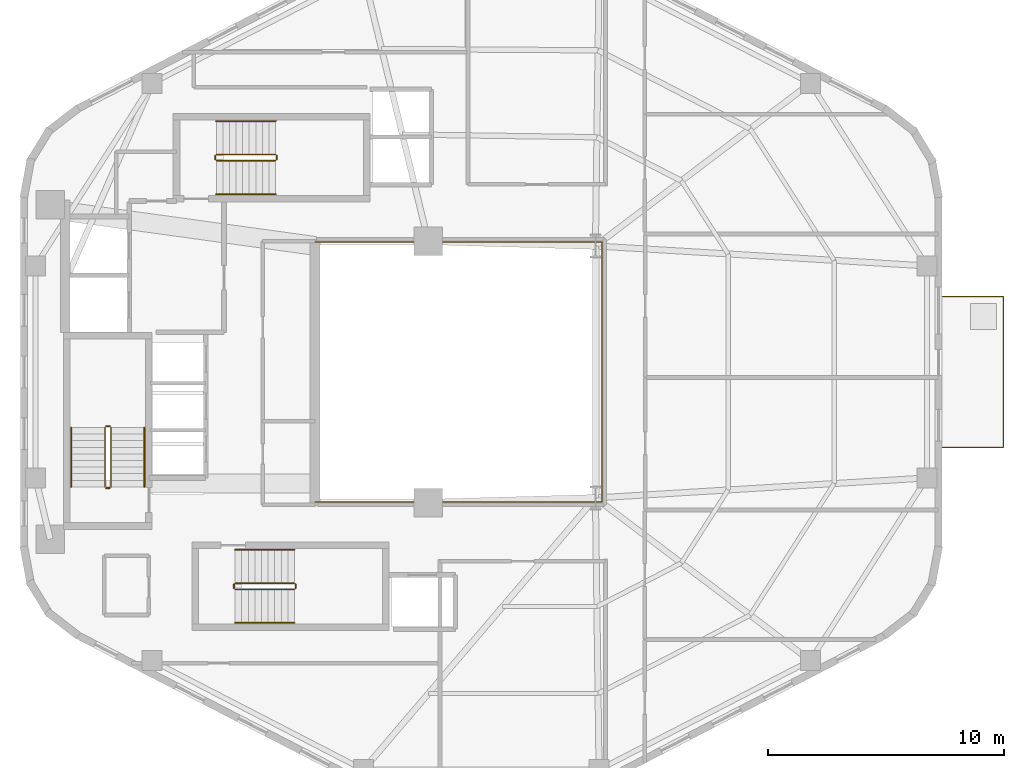
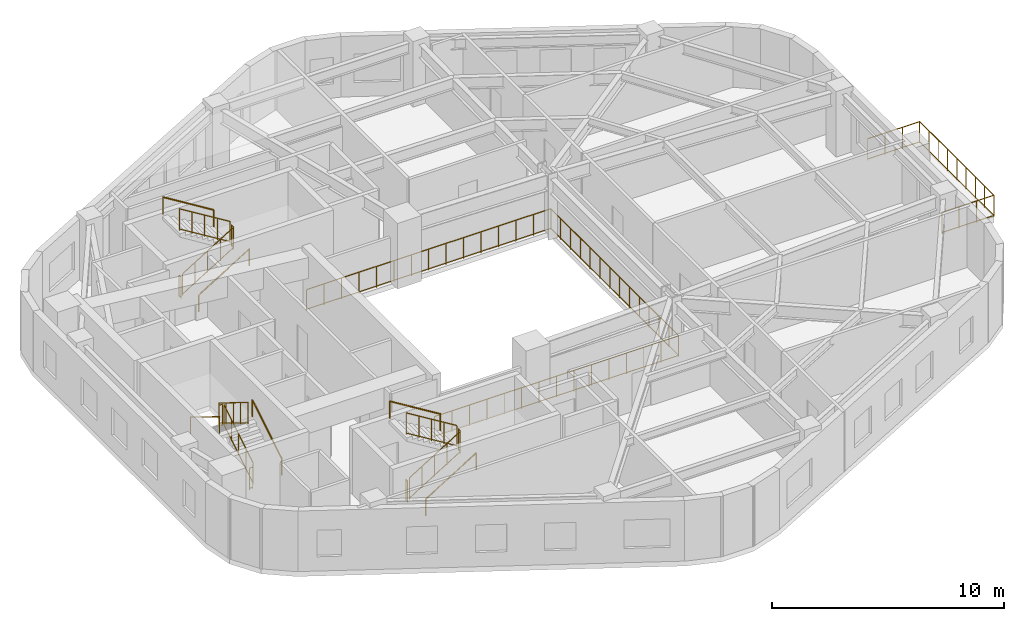
# One storey, part 6 of 7: 20 railings.
"""IFC4 building model written with IfcOpenShell, lengths in metres."""

from ifc_helpers import new_model, si_unit, direction, frame, origin, origin_2d, place, context, subcontext, project, spatial, circle, extrude, material, type_object, element, save


model = new_model("IFC4")

# Units and contexts
model_context = context("Model", 3, precision=1e-05, world=origin(), true_north=direction((0.0, 1.0)))
body_context = subcontext(model_context, "Body", "Model", "MODEL_VIEW")
ifc_project = project(units=[si_unit("LENGTHUNIT", "METRE"), si_unit("AREAUNIT", "SQUARE_METRE"), si_unit("VOLUMEUNIT", "CUBIC_METRE"), si_unit("PLANEANGLEUNIT", "RADIAN"), si_unit("MASSUNIT", "GRAM", prefix="KILO"), si_unit("THERMODYNAMICTEMPERATUREUNIT", "KELVIN"), si_unit("POWERUNIT", "WATT")], contexts=[model_context])

# Site, building, storey
site_placement = place(None, origin())
site = spatial("IfcSite", under=ifc_project, at=site_placement, CompositionType="ELEMENT")
building_placement = place(site_placement, origin())
building = spatial("IfcBuilding", under=site, at=building_placement, Name="Skarre Station Tower", CompositionType="ELEMENT")
storey_placement = place(building_placement, frame((0.0, 0.0, 213.699951171875)))
storey = spatial("IfcBuildingStorey", under=building, at=storey_placement, Name="L58", CompositionType="ELEMENT", Elevation=213.699951171875)

# Railings
ifc_material_1 = material(Name="Bronze Anodized Steel & Laminated Glass Balustrade", Category="steel")
railing_type_1 = type_object("IfcRailingType", Name="Atrium Void & Mezzanine Guard Balustrade 1120", PredefinedType="GUARDRAIL", material=ifc_material_1)
railing_1_placement = place(storey_placement, frame((27.550048828125, 18.47998046875, 0.0)))
element("IfcRailing", 1, at=railing_1_placement, inside=storey, type_object=railing_type_1, Name="L58 Atrium Void Guard Balustrade", PredefinedType="GUARDRAIL", context=body_context, shape_type="SweptSolid", body=[
    extrude(circle(Radius=0.02392578125, at=origin_2d()), frame((0.0, 0.0, 1.09619140625), z_axis=(1.0, 0.0, 0.0), x_axis=(0.0, 1.0, 0.0)), (0.0, 0.0, 1.0), 12.169921875),
    extrude(circle(Radius=0.02099609375, at=origin_2d()), frame((0.0, 0.0, 0.06005859375), z_axis=(1.0, 0.0, 0.0), x_axis=(0.0, 1.0, 0.0)), (0.0, 0.0, 1.0), 12.169921875),
    extrude(circle(Radius=0.02392578125, at=origin_2d()), frame((12.169921875, 0.0, 1.09619140625), z_axis=(0.0, 1.0, 0.0), x_axis=(-1.0, 0.0, 0.0)), (0.0, 0.0, 1.0), 11.0400390625),
    extrude(circle(Radius=0.02099609375, at=origin_2d()), frame((12.169921875, 0.0, 0.06005859375), z_axis=(0.0, 1.0, 0.0), x_axis=(-1.0, 0.0, 0.0)), (0.0, 0.0, 1.0), 11.0400390625),
    extrude(circle(Radius=0.02392578125, at=origin_2d()), frame((12.169921875, 11.0400390625, 1.09619140625), z_axis=(-1.0, 0.0, 0.0), x_axis=(0.0, -1.0, 0.0)), (0.0, 0.0, 1.0), 12.169921875),
    extrude(circle(Radius=0.02099609375, at=origin_2d()), frame((12.169921875, 11.0400390625, 0.06005859375), z_axis=(-1.0, 0.0, 0.0), x_axis=(0.0, -1.0, 0.0)), (0.0, 0.0, 1.0), 12.169921875),
    extrude(circle(Radius=0.02099609375, at=origin_2d()), origin(), (0.0, 0.0, 1.0), 1.072021484375),
    extrude(circle(Radius=0.02099609375, at=origin_2d()), frame((0.869384765625, 0.0, 0.0)), (0.0, 0.0, 1.0), 1.072021484375),
    extrude(circle(Radius=0.02099609375, at=origin_2d()), frame((1.738525390625, 0.0, 0.0)), (0.0, 0.0, 1.0), 1.072021484375),
    extrude(circle(Radius=0.02099609375, at=origin_2d()), frame((2.60791015625, 0.0, 0.0)), (0.0, 0.0, 1.0), 1.072021484375),
    extrude(circle(Radius=0.02099609375, at=origin_2d()), frame((3.47705078125, 0.0, 0.0)), (0.0, 0.0, 1.0), 1.072021484375),
    extrude(circle(Radius=0.02099609375, at=origin_2d()), frame((4.346435546875, 0.0, 0.0)), (0.0, 0.0, 1.0), 1.072021484375),
    extrude(circle(Radius=0.02099609375, at=origin_2d()), frame((5.215576171875, 0.0, 0.0)), (0.0, 0.0, 1.0), 1.072021484375),
    extrude(circle(Radius=0.02099609375, at=origin_2d()), frame((6.0849609375, 0.0, 0.0)), (0.0, 0.0, 1.0), 1.072021484375),
    extrude(circle(Radius=0.02099609375, at=origin_2d()), frame((6.954345703125, 0.0, 0.0)), (0.0, 0.0, 1.0), 1.072021484375),
    extrude(circle(Radius=0.02099609375, at=origin_2d()), frame((7.823486328125, 0.0, 0.0)), (0.0, 0.0, 1.0), 1.072021484375),
    extrude(circle(Radius=0.02099609375, at=origin_2d()), frame((8.69287109375, 0.0, 0.0)), (0.0, 0.0, 1.0), 1.072021484375),
    extrude(circle(Radius=0.02099609375, at=origin_2d()), frame((9.56201171875, 0.0, 0.0)), (0.0, 0.0, 1.0), 1.072021484375),
    extrude(circle(Radius=0.02099609375, at=origin_2d()), frame((10.431396484375, 0.0, 0.0)), (0.0, 0.0, 1.0), 1.072021484375),
    extrude(circle(Radius=0.02099609375, at=origin_2d()), frame((11.300537109375, 0.0, 0.0)), (0.0, 0.0, 1.0), 1.072021484375),
    extrude(circle(Radius=0.02099609375, at=origin_2d()), frame((12.169921875, 0.0, 0.0)), (0.0, 0.0, 1.0), 1.072021484375),
    extrude(circle(Radius=0.02099609375, at=origin_2d()), frame((12.169921875, 0.84912109375, 0.0)), (0.0, 0.0, 1.0), 1.072021484375),
    extrude(circle(Radius=0.02099609375, at=origin_2d()), frame((12.169921875, 1.698486328125, 0.0)), (0.0, 0.0, 1.0), 1.072021484375),
    extrude(circle(Radius=0.02099609375, at=origin_2d()), frame((12.169921875, 2.547607421875, 0.0)), (0.0, 0.0, 1.0), 1.072021484375),
    extrude(circle(Radius=0.02099609375, at=origin_2d()), frame((12.169921875, 3.39697265625, 0.0)), (0.0, 0.0, 1.0), 1.072021484375),
    extrude(circle(Radius=0.02099609375, at=origin_2d()), frame((12.169921875, 4.24609375, 0.0)), (0.0, 0.0, 1.0), 1.072021484375),
    extrude(circle(Radius=0.02099609375, at=origin_2d()), frame((12.169921875, 5.095458984375, 0.0)), (0.0, 0.0, 1.0), 1.072021484375),
    extrude(circle(Radius=0.02099609375, at=origin_2d()), frame((12.169921875, 5.944580078125, 0.0)), (0.0, 0.0, 1.0), 1.072021484375),
    extrude(circle(Radius=0.02099609375, at=origin_2d()), frame((12.169921875, 6.7939453125, 0.0)), (0.0, 0.0, 1.0), 1.072021484375),
    extrude(circle(Radius=0.02099609375, at=origin_2d()), frame((12.169921875, 7.64306640625, 0.0)), (0.0, 0.0, 1.0), 1.072021484375),
    extrude(circle(Radius=0.02099609375, at=origin_2d()), frame((12.169921875, 8.492431640625, 0.0)), (0.0, 0.0, 1.0), 1.072021484375),
    extrude(circle(Radius=0.02099609375, at=origin_2d()), frame((12.169921875, 9.341552734375, 0.0)), (0.0, 0.0, 1.0), 1.072021484375),
    extrude(circle(Radius=0.02099609375, at=origin_2d()), frame((12.169921875, 10.19091796875, 0.0)), (0.0, 0.0, 1.0), 1.072021484375),
    extrude(circle(Radius=0.02099609375, at=origin_2d()), frame((12.169921875, 11.0400390625, 0.0)), (0.0, 0.0, 1.0), 1.072021484375),
    extrude(circle(Radius=0.02099609375, at=origin_2d()), frame((11.300537109375, 11.0400390625, 0.0)), (0.0, 0.0, 1.0), 1.072021484375),
    extrude(circle(Radius=0.02099609375, at=origin_2d()), frame((10.431396484375, 11.0400390625, 0.0)), (0.0, 0.0, 1.0), 1.072021484375),
    extrude(circle(Radius=0.02099609375, at=origin_2d()), frame((9.56201171875, 11.0400390625, 0.0)), (0.0, 0.0, 1.0), 1.072021484375),
    extrude(circle(Radius=0.02099609375, at=origin_2d()), frame((8.69287109375, 11.0400390625, 0.0)), (0.0, 0.0, 1.0), 1.072021484375),
    extrude(circle(Radius=0.02099609375, at=origin_2d()), frame((7.823486328125, 11.0400390625, 0.0)), (0.0, 0.0, 1.0), 1.072021484375),
    extrude(circle(Radius=0.02099609375, at=origin_2d()), frame((6.954345703125, 11.0400390625, 0.0)), (0.0, 0.0, 1.0), 1.072021484375),
    extrude(circle(Radius=0.02099609375, at=origin_2d()), frame((6.0849609375, 11.0400390625, 0.0)), (0.0, 0.0, 1.0), 1.072021484375),
    extrude(circle(Radius=0.02099609375, at=origin_2d()), frame((5.215576171875, 11.0400390625, 0.0)), (0.0, 0.0, 1.0), 1.072021484375),
    extrude(circle(Radius=0.02099609375, at=origin_2d()), frame((4.346435546875, 11.0400390625, 0.0)), (0.0, 0.0, 1.0), 1.072021484375),
    extrude(circle(Radius=0.02099609375, at=origin_2d()), frame((3.47705078125, 11.0400390625, 0.0)), (0.0, 0.0, 1.0), 1.072021484375),
    extrude(circle(Radius=0.02099609375, at=origin_2d()), frame((2.60791015625, 11.0400390625, 0.0)), (0.0, 0.0, 1.0), 1.072021484375),
    extrude(circle(Radius=0.02099609375, at=origin_2d()), frame((1.738525390625, 11.0400390625, 0.0)), (0.0, 0.0, 1.0), 1.072021484375),
    extrude(circle(Radius=0.02099609375, at=origin_2d()), frame((0.869384765625, 11.0400390625, 0.0)), (0.0, 0.0, 1.0), 1.072021484375),
    extrude(circle(Radius=0.02099609375, at=origin_2d()), frame((0.0, 11.0400390625, 0.0)), (0.0, 0.0, 1.0), 1.072021484375),
])
ifc_material_2 = material(Name="Stainless Steel Grade 316L & Laminated Safety Glass", Category="steel")
railing_type_2 = type_object("IfcRailingType", Name="Laminated Glass & Stainless Terrace Guardrail 1150", PredefinedType="BALUSTRADE", material=ifc_material_2)
railing_2_placement = place(storey_placement, frame((54.181884765625, 20.800048828125, 0.0)))
element("IfcRailing", 2, at=railing_2_placement, inside=storey, type_object=railing_type_2, Name="L58 TB-L58-F5 Tree-Balcony Guardrail", PredefinedType="BALUSTRADE", context=body_context, shape_type="SweptSolid", body=[
    extrude(circle(Radius=0.02392578125, at=origin_2d()), frame((0.0, 0.0, 1.1259765625), z_axis=(1.0, 0.0, 0.0), x_axis=(0.0, 1.0, 0.0)), (0.0, 0.0, 1.0), 2.590087890625),
    extrude(circle(Radius=0.02099609375, at=origin_2d()), frame((0.0, 0.0, 0.06005859375), z_axis=(1.0, 0.0, 0.0), x_axis=(0.0, 1.0, 0.0)), (0.0, 0.0, 1.0), 2.590087890625),
    extrude(circle(Radius=0.02392578125, at=origin_2d()), frame((2.590087890625, 0.0, 1.1259765625), z_axis=(0.0, 1.0, 0.0), x_axis=(-1.0, 0.0, 0.0)), (0.0, 0.0, 1.0), 6.39990234375),
    extrude(circle(Radius=0.02099609375, at=origin_2d()), frame((2.590087890625, 0.0, 0.06005859375), z_axis=(0.0, 1.0, 0.0), x_axis=(-1.0, 0.0, 0.0)), (0.0, 0.0, 1.0), 6.39990234375),
    extrude(circle(Radius=0.02392578125, at=origin_2d()), frame((2.590087890625, 6.39990234375, 1.1259765625), z_axis=(-1.0, 0.0, 0.0), x_axis=(0.0, -1.0, 0.0)), (0.0, 0.0, 1.0), 2.590087890625),
    extrude(circle(Radius=0.02099609375, at=origin_2d()), frame((2.590087890625, 6.39990234375, 0.06005859375), z_axis=(-1.0, 0.0, 0.0), x_axis=(0.0, -1.0, 0.0)), (0.0, 0.0, 1.0), 2.590087890625),
    extrude(circle(Radius=0.02099609375, at=origin_2d()), origin(), (0.0, 0.0, 1.0), 1.101806640625),
    extrude(circle(Radius=0.02099609375, at=origin_2d()), frame((0.86328125, 0.0, 0.0)), (0.0, 0.0, 1.0), 1.101806640625),
    extrude(circle(Radius=0.02099609375, at=origin_2d()), frame((1.726806640625, 0.0, 0.0)), (0.0, 0.0, 1.0), 1.101806640625),
    extrude(circle(Radius=0.02099609375, at=origin_2d()), frame((2.590087890625, 0.0, 0.0)), (0.0, 0.0, 1.0), 1.101806640625),
    extrude(circle(Radius=0.02099609375, at=origin_2d()), frame((2.590087890625, 0.800048828125, 0.0)), (0.0, 0.0, 1.0), 1.101806640625),
    extrude(circle(Radius=0.02099609375, at=origin_2d()), frame((2.590087890625, 1.60009765625, 0.0)), (0.0, 0.0, 1.0), 1.101806640625),
    extrude(circle(Radius=0.02099609375, at=origin_2d()), frame((2.590087890625, 2.39990234375, 0.0)), (0.0, 0.0, 1.0), 1.101806640625),
    extrude(circle(Radius=0.02099609375, at=origin_2d()), frame((2.590087890625, 3.199951171875, 0.0)), (0.0, 0.0, 1.0), 1.101806640625),
    extrude(circle(Radius=0.02099609375, at=origin_2d()), frame((2.590087890625, 4.0, 0.0)), (0.0, 0.0, 1.0), 1.101806640625),
    extrude(circle(Radius=0.02099609375, at=origin_2d()), frame((2.590087890625, 4.7998046875, 0.0)), (0.0, 0.0, 1.0), 1.101806640625),
    extrude(circle(Radius=0.02099609375, at=origin_2d()), frame((2.590087890625, 5.599853515625, 0.0)), (0.0, 0.0, 1.0), 1.101806640625),
    extrude(circle(Radius=0.02099609375, at=origin_2d()), frame((2.590087890625, 6.39990234375, 0.0)), (0.0, 0.0, 1.0), 1.101806640625),
    extrude(circle(Radius=0.02099609375, at=origin_2d()), frame((1.726806640625, 6.39990234375, 0.0)), (0.0, 0.0, 1.0), 1.101806640625),
    extrude(circle(Radius=0.02099609375, at=origin_2d()), frame((0.86328125, 6.39990234375, 0.0)), (0.0, 0.0, 1.0), 1.101806640625),
    extrude(circle(Radius=0.02099609375, at=origin_2d()), frame((0.0, 6.39990234375, 0.0)), (0.0, 0.0, 1.0), 1.101806640625),
])
ifc_material_3 = material(Name="Powder-Coated Tubular Steel", Category="steel")
railing_type_3 = type_object("IfcRailingType", Name="Painted Steel Ramp & Stair Handrail 920", PredefinedType="HANDRAIL", material=ifc_material_3)
railing_3_placement = place(storey_placement, frame((20.300048828125, 19.1201171875, 0.172607421875)))
element("IfcRailing", 3, at=railing_3_placement, inside=storey, type_object=railing_type_3, Name="L58 ST-1 stair handrail 1", PredefinedType="HANDRAIL", context=body_context, shape_type="SweptSolid", body=[
    extrude(circle(Radius=0.02392578125, at=origin_2d()), frame((0.0, 0.0, 0.8759765625), z_axis=(0.0, 0.851377800117, 0.52455299205), x_axis=(-1.0, 0.0, 0.0)), (0.0, 0.0, 1.0), 2.959716796875),
    extrude(circle(Radius=0.02099609375, at=origin_2d()), origin(), (0.0, 0.0, 1.0), 0.851806640625),
    extrude(circle(Radius=0.02099609375, at=origin_2d()), frame((0.0, 2.519775390625, 1.552490234375)), (0.0, 0.0, 1.0), 0.851806640625),
])
railing_4_placement = place(storey_placement, frame((17.199951171875, 21.639892578125, 1.8974609375)))
element("IfcRailing", 4, at=railing_4_placement, inside=storey, type_object=railing_type_3, Name="L58 ST-1 stair handrail 2", PredefinedType="HANDRAIL", context=body_context, shape_type="SweptSolid", body=[
    extrude(circle(Radius=0.02392578125, at=origin_2d()), frame((0.0, 0.0, 0.8759765625), z_axis=(0.0, -0.851377800117, 0.52455299205), x_axis=(1.0, 0.0, 0.0)), (0.0, 0.0, 1.0), 2.959716796875),
    extrude(circle(Radius=0.02099609375, at=origin_2d()), origin(), (0.0, 0.0, 1.0), 0.851806640625),
    extrude(circle(Radius=0.02099609375, at=origin_2d()), frame((0.0, -2.519775390625, 1.552490234375)), (0.0, 0.0, 1.0), 0.851806640625),
])
railing_5_placement = place(storey_placement, frame((24.14990234375, 13.35009765625, 0.172607421875)))
element("IfcRailing", 5, at=railing_5_placement, inside=storey, type_object=railing_type_3, Name="L58 ST-2 stair handrail 1", PredefinedType="HANDRAIL", context=body_context, shape_type="SweptSolid", body=[
    extrude(circle(Radius=0.02392578125, at=origin_2d()), frame((0.0, 0.0, 0.8759765625), z_axis=(0.851400495292, 0.0, 0.524516154772), x_axis=(0.0, 1.0, 0.0)), (0.0, 0.0, 1.0), 2.9599609375),
    extrude(circle(Radius=0.02099609375, at=origin_2d()), origin(), (0.0, 0.0, 1.0), 0.851806640625),
    extrude(circle(Radius=0.02099609375, at=origin_2d()), frame((2.52001953125, 0.0, 1.552490234375)), (0.0, 0.0, 1.0), 0.851806640625),
])
railing_6_placement = place(storey_placement, frame((26.669921875, 16.449951171875, 1.8974609375)))
element("IfcRailing", 6, at=railing_6_placement, inside=storey, type_object=railing_type_3, Name="L58 ST-2 stair handrail 2", PredefinedType="HANDRAIL", context=body_context, shape_type="SweptSolid", body=[
    extrude(circle(Radius=0.02392578125, at=origin_2d()), frame((0.0, 0.0, 0.8759765625), z_axis=(-0.851400495292, 0.0, 0.524516154772), x_axis=(0.0, -1.0, 0.0)), (0.0, 0.0, 1.0), 2.9599609375),
    extrude(circle(Radius=0.02099609375, at=origin_2d()), origin(), (0.0, 0.0, 1.0), 0.851806640625),
    extrude(circle(Radius=0.02099609375, at=origin_2d()), frame((-2.52001953125, 0.0, 1.552490234375)), (0.0, 0.0, 1.0), 0.851806640625),
])
railing_7_placement = place(storey_placement, frame((23.35009765625, 31.550048828125, 0.172607421875)))
element("IfcRailing", 7, at=railing_7_placement, inside=storey, type_object=railing_type_3, Name="L58 ST-3 stair handrail 1", PredefinedType="HANDRAIL", context=body_context, shape_type="SweptSolid", body=[
    extrude(circle(Radius=0.02392578125, at=origin_2d()), frame((0.0, 0.0, 0.8759765625), z_axis=(0.851400495292, 0.0, 0.524516154772), x_axis=(0.0, 1.0, 0.0)), (0.0, 0.0, 1.0), 2.9599609375),
    extrude(circle(Radius=0.02099609375, at=origin_2d()), origin(), (0.0, 0.0, 1.0), 0.851806640625),
    extrude(circle(Radius=0.02099609375, at=origin_2d()), frame((2.52001953125, 0.0, 1.552490234375)), (0.0, 0.0, 1.0), 0.851806640625),
])
railing_8_placement = place(storey_placement, frame((25.8701171875, 34.64990234375, 1.8974609375)))
element("IfcRailing", 8, at=railing_8_placement, inside=storey, type_object=railing_type_3, Name="L58 ST-3 stair handrail 2", PredefinedType="HANDRAIL", context=body_context, shape_type="SweptSolid", body=[
    extrude(circle(Radius=0.02392578125, at=origin_2d()), frame((0.0, 0.0, 0.8759765625), z_axis=(-0.851400495292, 0.0, 0.524516154772), x_axis=(0.0, -1.0, 0.0)), (0.0, 0.0, 1.0), 2.9599609375),
    extrude(circle(Radius=0.02099609375, at=origin_2d()), origin(), (0.0, 0.0, 1.0), 0.851806640625),
    extrude(circle(Radius=0.02099609375, at=origin_2d()), frame((-2.52001953125, 0.0, 1.552490234375)), (0.0, 0.0, 1.0), 0.851806640625),
])
railing_type_4 = type_object("IfcRailingType", Name="Painted Steel Stairwell Guardrail 1100", PredefinedType="GUARDRAIL", material=ifc_material_3)
railing_9_placement = place(storey_placement, frame((18.8798828125, 19.1201171875, 0.172607421875)))
element("IfcRailing", 9, at=railing_9_placement, inside=storey, type_object=railing_type_4, Name="L58 ST-1 stair guard 1", PredefinedType="GUARDRAIL", context=body_context, shape_type="SweptSolid", body=[
    extrude(circle(Radius=0.02392578125, at=origin_2d()), frame((0.0, 0.0, 1.1259765625), z_axis=(0.0, 0.851377800117, 0.52455299205), x_axis=(-1.0, 0.0, 0.0)), (0.0, 0.0, 1.0), 2.959716796875),
    extrude(circle(Radius=0.02099609375, at=origin_2d()), frame((0.0, 0.0, 0.06005859375), z_axis=(0.0, 0.851377800117, 0.52455299205), x_axis=(-1.0, 0.0, 0.0)), (0.0, 0.0, 1.0), 2.959716796875),
    extrude(circle(Radius=0.02099609375, at=origin_2d()), origin(), (0.0, 0.0, 1.0), 1.101806640625),
    extrude(circle(Radius=0.02099609375, at=origin_2d()), frame((0.0, 0.6298828125, 0.38818359375)), (0.0, 0.0, 1.0), 1.101806640625),
    extrude(circle(Radius=0.02099609375, at=origin_2d()), frame((0.0, 1.259765625, 0.7763671875)), (0.0, 0.0, 1.0), 1.101806640625),
    extrude(circle(Radius=0.02099609375, at=origin_2d()), frame((0.0, 1.889892578125, 1.164306640625)), (0.0, 0.0, 1.0), 1.101806640625),
    extrude(circle(Radius=0.02099609375, at=origin_2d()), frame((0.0, 2.519775390625, 1.552490234375)), (0.0, 0.0, 1.0), 1.101806640625),
])
railing_10_placement = place(storey_placement, frame((18.830078125, 21.68994140625, 1.72509765625)))
element("IfcRailing", 10, at=railing_10_placement, inside=storey, type_object=railing_type_4, Name="L58 ST-1 stair guard 2", PredefinedType="GUARDRAIL", context=body_context, shape_type="SweptSolid", body=[
    extrude(circle(Radius=0.02392578125, at=origin_2d()), frame((0.0, 0.0, 1.1259765625), z_axis=(-1.0, 0.0, 0.0), x_axis=(0.0, -1.0, 0.0)), (0.0, 0.0, 1.0), 0.16015625),
    extrude(circle(Radius=0.02099609375, at=origin_2d()), frame((0.0, 0.0, 0.06005859375), z_axis=(-1.0, 0.0, 0.0), x_axis=(0.0, -1.0, 0.0)), (0.0, 0.0, 1.0), 0.16015625),
    extrude(circle(Radius=0.02099609375, at=origin_2d()), origin(), (0.0, 0.0, 1.0), 1.101806640625),
    extrude(circle(Radius=0.02099609375, at=origin_2d()), frame((-0.16015625, 0.0, 0.0)), (0.0, 0.0, 1.0), 1.101806640625),
])
railing_11_placement = place(storey_placement, frame((18.6201171875, 21.639892578125, 1.8974609375)))
element("IfcRailing", 11, at=railing_11_placement, inside=storey, type_object=railing_type_4, Name="L58 ST-1 stair guard 3", PredefinedType="GUARDRAIL", context=body_context, shape_type="SweptSolid", body=[
    extrude(circle(Radius=0.02392578125, at=origin_2d()), frame((0.0, 0.0, 1.1259765625), z_axis=(0.0, -0.851377800117, 0.52455299205), x_axis=(1.0, 0.0, 0.0)), (0.0, 0.0, 1.0), 2.959716796875),
    extrude(circle(Radius=0.02099609375, at=origin_2d()), frame((0.0, 0.0, 0.06005859375), z_axis=(0.0, -0.851377800117, 0.52455299205), x_axis=(1.0, 0.0, 0.0)), (0.0, 0.0, 1.0), 2.959716796875),
    extrude(circle(Radius=0.02099609375, at=origin_2d()), origin(), (0.0, 0.0, 1.0), 1.101806640625),
    extrude(circle(Radius=0.02099609375, at=origin_2d()), frame((0.0, -0.6298828125, 0.38818359375)), (0.0, 0.0, 1.0), 1.101806640625),
    extrude(circle(Radius=0.02099609375, at=origin_2d()), frame((0.0, -1.259765625, 0.7763671875)), (0.0, 0.0, 1.0), 1.101806640625),
    extrude(circle(Radius=0.02099609375, at=origin_2d()), frame((0.0, -1.889892578125, 1.164306640625)), (0.0, 0.0, 1.0), 1.101806640625),
    extrude(circle(Radius=0.02099609375, at=origin_2d()), frame((0.0, -2.519775390625, 1.552490234375)), (0.0, 0.0, 1.0), 1.101806640625),
])
railing_12_placement = place(storey_placement, frame((18.830078125, 19.070068359375, 0.0)))
element("IfcRailing", 12, at=railing_12_placement, inside=storey, type_object=railing_type_4, Name="L58 ST-1 stair guard 4", PredefinedType="GUARDRAIL", context=body_context, shape_type="SweptSolid", body=[
    extrude(circle(Radius=0.02392578125, at=origin_2d()), frame((0.0, 0.0, 1.1259765625), z_axis=(-1.0, 0.0, 0.0), x_axis=(0.0, -1.0, 0.0)), (0.0, 0.0, 1.0), 0.16015625),
    extrude(circle(Radius=0.02099609375, at=origin_2d()), frame((0.0, 0.0, 0.06005859375), z_axis=(-1.0, 0.0, 0.0), x_axis=(0.0, -1.0, 0.0)), (0.0, 0.0, 1.0), 0.16015625),
    extrude(circle(Radius=0.02099609375, at=origin_2d()), origin(), (0.0, 0.0, 1.0), 1.101806640625),
    extrude(circle(Radius=0.02099609375, at=origin_2d()), frame((-0.16015625, 0.0, 0.0)), (0.0, 0.0, 1.0), 1.101806640625),
])
railing_13_placement = place(storey_placement, frame((24.14990234375, 14.77001953125, 0.172607421875)))
element("IfcRailing", 13, at=railing_13_placement, inside=storey, type_object=railing_type_4, Name="L58 ST-2 stair guard 1", PredefinedType="GUARDRAIL", context=body_context, shape_type="SweptSolid", body=[
    extrude(circle(Radius=0.02392578125, at=origin_2d()), frame((0.0, 0.0, 1.1259765625), z_axis=(0.851400495292, 0.0, 0.524516154772), x_axis=(0.0, 1.0, 0.0)), (0.0, 0.0, 1.0), 2.9599609375),
    extrude(circle(Radius=0.02099609375, at=origin_2d()), frame((0.0, 0.0, 0.06005859375), z_axis=(0.851400495292, 0.0, 0.524516154772), x_axis=(0.0, 1.0, 0.0)), (0.0, 0.0, 1.0), 2.9599609375),
    extrude(circle(Radius=0.02099609375, at=origin_2d()), origin(), (0.0, 0.0, 1.0), 1.101806640625),
    extrude(circle(Radius=0.02099609375, at=origin_2d()), frame((0.6298828125, 0.0, 0.38818359375)), (0.0, 0.0, 1.0), 1.101806640625),
    extrude(circle(Radius=0.02099609375, at=origin_2d()), frame((1.260009765625, 0.0, 0.7763671875)), (0.0, 0.0, 1.0), 1.101806640625),
    extrude(circle(Radius=0.02099609375, at=origin_2d()), frame((1.89013671875, 0.0, 1.164306640625)), (0.0, 0.0, 1.0), 1.101806640625),
    extrude(circle(Radius=0.02099609375, at=origin_2d()), frame((2.52001953125, 0.0, 1.552490234375)), (0.0, 0.0, 1.0), 1.101806640625),
])
railing_14_placement = place(storey_placement, frame((26.719970703125, 14.820068359375, 1.72509765625)))
element("IfcRailing", 14, at=railing_14_placement, inside=storey, type_object=railing_type_4, Name="L58 ST-2 stair guard 2", PredefinedType="GUARDRAIL", context=body_context, shape_type="SweptSolid", body=[
    extrude(circle(Radius=0.02392578125, at=origin_2d()), frame((0.0, 0.0, 1.1259765625), z_axis=(0.0, 1.0, 0.0), x_axis=(-1.0, 0.0, 0.0)), (0.0, 0.0, 1.0), 0.159912109375),
    extrude(circle(Radius=0.02099609375, at=origin_2d()), frame((0.0, 0.0, 0.06005859375), z_axis=(0.0, 1.0, 0.0), x_axis=(-1.0, 0.0, 0.0)), (0.0, 0.0, 1.0), 0.159912109375),
    extrude(circle(Radius=0.02099609375, at=origin_2d()), origin(), (0.0, 0.0, 1.0), 1.101806640625),
    extrude(circle(Radius=0.02099609375, at=origin_2d()), frame((0.0, 0.159912109375, 0.0)), (0.0, 0.0, 1.0), 1.101806640625),
])
railing_15_placement = place(storey_placement, frame((26.669921875, 15.030029296875, 1.8974609375)))
element("IfcRailing", 15, at=railing_15_placement, inside=storey, type_object=railing_type_4, Name="L58 ST-2 stair guard 3", PredefinedType="GUARDRAIL", context=body_context, shape_type="SweptSolid", body=[
    extrude(circle(Radius=0.02392578125, at=origin_2d()), frame((0.0, 0.0, 1.1259765625), z_axis=(-0.851400495292, 0.0, 0.524516154772), x_axis=(0.0, -1.0, 0.0)), (0.0, 0.0, 1.0), 2.9599609375),
    extrude(circle(Radius=0.02099609375, at=origin_2d()), frame((0.0, 0.0, 0.06005859375), z_axis=(-0.851400495292, 0.0, 0.524516154772), x_axis=(0.0, -1.0, 0.0)), (0.0, 0.0, 1.0), 2.9599609375),
    extrude(circle(Radius=0.02099609375, at=origin_2d()), origin(), (0.0, 0.0, 1.0), 1.101806640625),
    extrude(circle(Radius=0.02099609375, at=origin_2d()), frame((-0.6298828125, 0.0, 0.38818359375)), (0.0, 0.0, 1.0), 1.101806640625),
    extrude(circle(Radius=0.02099609375, at=origin_2d()), frame((-1.260009765625, 0.0, 0.7763671875)), (0.0, 0.0, 1.0), 1.101806640625),
    extrude(circle(Radius=0.02099609375, at=origin_2d()), frame((-1.89013671875, 0.0, 1.164306640625)), (0.0, 0.0, 1.0), 1.101806640625),
    extrude(circle(Radius=0.02099609375, at=origin_2d()), frame((-2.52001953125, 0.0, 1.552490234375)), (0.0, 0.0, 1.0), 1.101806640625),
])
railing_16_placement = place(storey_placement, frame((24.10009765625, 14.820068359375, 0.0)))
element("IfcRailing", 16, at=railing_16_placement, inside=storey, type_object=railing_type_4, Name="L58 ST-2 stair guard 4", PredefinedType="GUARDRAIL", context=body_context, shape_type="SweptSolid", body=[
    extrude(circle(Radius=0.02392578125, at=origin_2d()), frame((0.0, 0.0, 1.1259765625), z_axis=(0.0, 1.0, 0.0), x_axis=(-1.0, 0.0, 0.0)), (0.0, 0.0, 1.0), 0.159912109375),
    extrude(circle(Radius=0.02099609375, at=origin_2d()), frame((0.0, 0.0, 0.06005859375), z_axis=(0.0, 1.0, 0.0), x_axis=(-1.0, 0.0, 0.0)), (0.0, 0.0, 1.0), 0.159912109375),
    extrude(circle(Radius=0.02099609375, at=origin_2d()), origin(), (0.0, 0.0, 1.0), 1.101806640625),
    extrude(circle(Radius=0.02099609375, at=origin_2d()), frame((0.0, 0.159912109375, 0.0)), (0.0, 0.0, 1.0), 1.101806640625),
])
railing_17_placement = place(storey_placement, frame((23.35009765625, 32.969970703125, 0.172607421875)))
element("IfcRailing", 17, at=railing_17_placement, inside=storey, type_object=railing_type_4, Name="L58 ST-3 stair guard 1", PredefinedType="GUARDRAIL", context=body_context, shape_type="SweptSolid", body=[
    extrude(circle(Radius=0.02392578125, at=origin_2d()), frame((0.0, 0.0, 1.1259765625), z_axis=(0.851400495292, 0.0, 0.524516154772), x_axis=(0.0, 1.0, 0.0)), (0.0, 0.0, 1.0), 2.9599609375),
    extrude(circle(Radius=0.02099609375, at=origin_2d()), frame((0.0, 0.0, 0.06005859375), z_axis=(0.851400495292, 0.0, 0.524516154772), x_axis=(0.0, 1.0, 0.0)), (0.0, 0.0, 1.0), 2.9599609375),
    extrude(circle(Radius=0.02099609375, at=origin_2d()), origin(), (0.0, 0.0, 1.0), 1.101806640625),
    extrude(circle(Radius=0.02099609375, at=origin_2d()), frame((0.6298828125, 0.0, 0.38818359375)), (0.0, 0.0, 1.0), 1.101806640625),
    extrude(circle(Radius=0.02099609375, at=origin_2d()), frame((1.260009765625, 0.0, 0.7763671875)), (0.0, 0.0, 1.0), 1.101806640625),
    extrude(circle(Radius=0.02099609375, at=origin_2d()), frame((1.89013671875, 0.0, 1.164306640625)), (0.0, 0.0, 1.0), 1.101806640625),
    extrude(circle(Radius=0.02099609375, at=origin_2d()), frame((2.52001953125, 0.0, 1.552490234375)), (0.0, 0.0, 1.0), 1.101806640625),
])
railing_18_placement = place(storey_placement, frame((25.919921875, 33.02001953125, 1.72509765625)))
element("IfcRailing", 18, at=railing_18_placement, inside=storey, type_object=railing_type_4, Name="L58 ST-3 stair guard 2", PredefinedType="GUARDRAIL", context=body_context, shape_type="SweptSolid", body=[
    extrude(circle(Radius=0.02392578125, at=origin_2d()), frame((0.0, 0.0, 1.1259765625), z_axis=(0.0, 1.0, 0.0), x_axis=(-1.0, 0.0, 0.0)), (0.0, 0.0, 1.0), 0.159912109375),
    extrude(circle(Radius=0.02099609375, at=origin_2d()), frame((0.0, 0.0, 0.06005859375), z_axis=(0.0, 1.0, 0.0), x_axis=(-1.0, 0.0, 0.0)), (0.0, 0.0, 1.0), 0.159912109375),
    extrude(circle(Radius=0.02099609375, at=origin_2d()), origin(), (0.0, 0.0, 1.0), 1.101806640625),
    extrude(circle(Radius=0.02099609375, at=origin_2d()), frame((0.0, 0.159912109375, 0.0)), (0.0, 0.0, 1.0), 1.101806640625),
])
railing_19_placement = place(storey_placement, frame((25.8701171875, 33.22998046875, 1.8974609375)))
element("IfcRailing", 19, at=railing_19_placement, inside=storey, type_object=railing_type_4, Name="L58 ST-3 stair guard 3", PredefinedType="GUARDRAIL", context=body_context, shape_type="SweptSolid", body=[
    extrude(circle(Radius=0.02392578125, at=origin_2d()), frame((0.0, 0.0, 1.1259765625), z_axis=(-0.851400495292, 0.0, 0.524516154772), x_axis=(0.0, -1.0, 0.0)), (0.0, 0.0, 1.0), 2.9599609375),
    extrude(circle(Radius=0.02099609375, at=origin_2d()), frame((0.0, 0.0, 0.06005859375), z_axis=(-0.851400495292, 0.0, 0.524516154772), x_axis=(0.0, -1.0, 0.0)), (0.0, 0.0, 1.0), 2.9599609375),
    extrude(circle(Radius=0.02099609375, at=origin_2d()), origin(), (0.0, 0.0, 1.0), 1.101806640625),
    extrude(circle(Radius=0.02099609375, at=origin_2d()), frame((-0.6298828125, 0.0, 0.38818359375)), (0.0, 0.0, 1.0), 1.101806640625),
    extrude(circle(Radius=0.02099609375, at=origin_2d()), frame((-1.260009765625, 0.0, 0.7763671875)), (0.0, 0.0, 1.0), 1.101806640625),
    extrude(circle(Radius=0.02099609375, at=origin_2d()), frame((-1.89013671875, 0.0, 1.164306640625)), (0.0, 0.0, 1.0), 1.101806640625),
    extrude(circle(Radius=0.02099609375, at=origin_2d()), frame((-2.52001953125, 0.0, 1.552490234375)), (0.0, 0.0, 1.0), 1.101806640625),
])
railing_20_placement = place(storey_placement, frame((23.300048828125, 33.02001953125, 0.0)))
element("IfcRailing", 20, at=railing_20_placement, inside=storey, type_object=railing_type_4, Name="L58 ST-3 stair guard 4", PredefinedType="GUARDRAIL", context=body_context, shape_type="SweptSolid", body=[
    extrude(circle(Radius=0.02392578125, at=origin_2d()), frame((0.0, 0.0, 1.1259765625), z_axis=(0.0, 1.0, 0.0), x_axis=(-1.0, 0.0, 0.0)), (0.0, 0.0, 1.0), 0.159912109375),
    extrude(circle(Radius=0.02099609375, at=origin_2d()), frame((0.0, 0.0, 0.06005859375), z_axis=(0.0, 1.0, 0.0), x_axis=(-1.0, 0.0, 0.0)), (0.0, 0.0, 1.0), 0.159912109375),
    extrude(circle(Radius=0.02099609375, at=origin_2d()), origin(), (0.0, 0.0, 1.0), 1.101806640625),
    extrude(circle(Radius=0.02099609375, at=origin_2d()), frame((0.0, 0.159912109375, 0.0)), (0.0, 0.0, 1.0), 1.101806640625),
])

save(model, "model.ifc")
